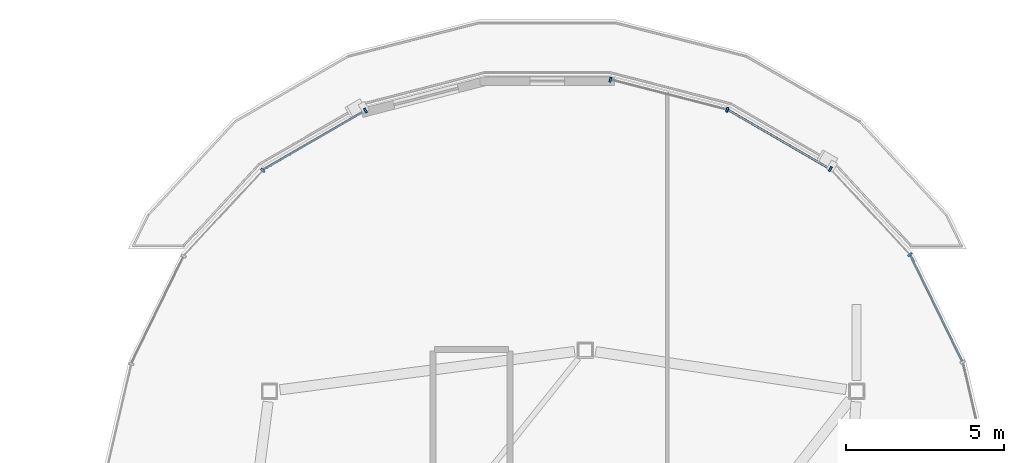
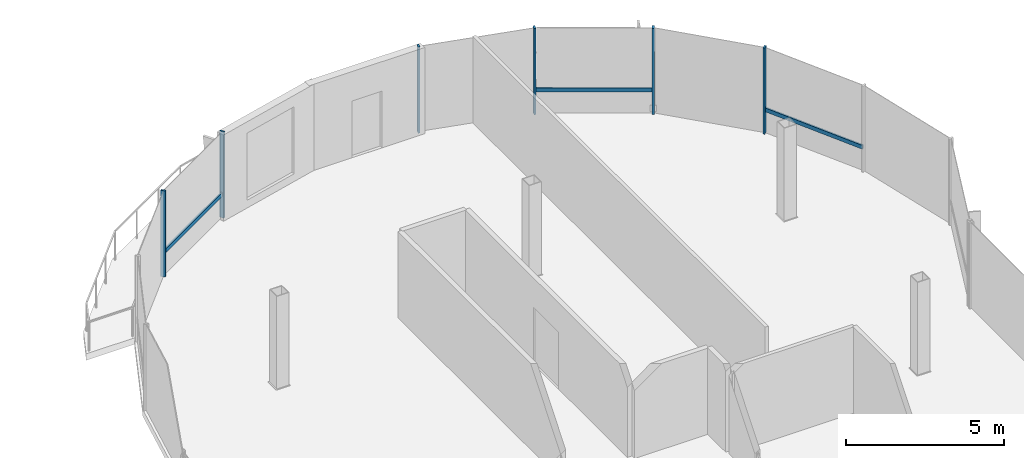
# One storey, part 9 of 20: 9 members, 2 elements without a shape of their own.
"""IFC4 building model written with IfcOpenShell, lengths in metres."""

from ifc_helpers import new_model, si_unit, direction, frame, origin, origin_2d, place, context, subcontext, project, spatial, rectangle, extrude, material, material_profile, profile_set, type_object, element, aggregate, save


model = new_model("IFC4")

# Units and contexts
model_context = context("Model", 3, precision=1e-05, world=origin(), true_north=direction((0.0, 1.0)))
body_context = subcontext(model_context, "Body", "Model", "MODEL_VIEW")
ifc_project = project(units=[si_unit("LENGTHUNIT", "METRE"), si_unit("AREAUNIT", "SQUARE_METRE"), si_unit("VOLUMEUNIT", "CUBIC_METRE"), si_unit("PLANEANGLEUNIT", "RADIAN"), si_unit("MASSUNIT", "GRAM", prefix="KILO"), si_unit("THERMODYNAMICTEMPERATUREUNIT", "KELVIN"), si_unit("POWERUNIT", "WATT")], contexts=[model_context])

# Site, building, storey
site_placement = place(None, origin())
site = spatial("IfcSite", under=ifc_project, at=site_placement, CompositionType="ELEMENT")
building_placement = place(site_placement, origin())
building = spatial("IfcBuilding", under=site, at=building_placement, Name="Cundina Bronze Exchange", CompositionType="ELEMENT")
storey_placement = place(building_placement, frame((0.0, 0.0, 282.800048828125)))
storey = spatial("IfcBuildingStorey", under=building, at=storey_placement, Name="L75", CompositionType="ELEMENT", Elevation=282.800048828125)

# Curtain wall, members
ifc_material = material(Name="Anodised Bronze Aluminium 6063-T6", Category="aluminium")
curtain_wall_type = type_object("IfcCurtainWallType", Name="CWS-CRN-TMD", PredefinedType="NOTDEFINED", material=ifc_material)
curtain_wall_1_placement = place(storey_placement, origin())
curtain_wall_1 = element("IfcCurtainWall", 1, at=curtain_wall_1_placement, inside=storey, type_object=curtain_wall_type, Name="L75 CW-07 Curtain Wall Run CWR-L75-E1", PredefinedType="NOTDEFINED")
ifc_material_profile_1 = material_profile(ifc_material, rectangle(XDim=0.06494140625, YDim=0.159912109375, at=origin_2d()), Name="AL65X160", Category="aluminium")
ifc_profile_set_1 = profile_set([ifc_material_profile_1], Name="Anodised Bronze Aluminium 6063-T6")
member_type_1 = type_object("IfcMemberType", Name="CWM-MUL-160", PredefinedType="MULLION", material=ifc_profile_set_1)
member_1_placement = place(storey_placement, frame((43.483642578125, 13.824462890625, 0.0), z_axis=(0.0, 0.0, 1.0), x_axis=(-0.679057031084, 0.734085518544, 0.0)))
member_1 = element("IfcMember", 2, at=member_1_placement, type_object=member_type_1, Name="CW-07 Mullion 4", PredefinedType="MULLION", context=body_context, shape_type="SweptSolid", body=[
    extrude(rectangle(XDim=0.06494140625, YDim=0.159912109375, at=origin_2d()), origin(), (0.0, 0.0, 1.0), 3.33984375),
])
member_2_placement = place(storey_placement, frame((40.966552734375, 16.5322265625, 0.0), z_axis=(0.0, 0.0, 1.0), x_axis=(-0.86532642813, 0.501208711795, 0.0)))
member_2 = element("IfcMember", 3, at=member_2_placement, type_object=member_type_1, Name="CW-07 Mullion 5", PredefinedType="MULLION", context=body_context, shape_type="SweptSolid", body=[
    extrude(rectangle(XDim=0.06494140625, YDim=0.159912109375, at=origin_2d()), origin(), (0.0, 0.0, 1.0), 3.33984375),
])
member_3_placement = place(storey_placement, frame((37.699951171875, 18.41455078125, 0.0), z_axis=(0.0, 0.0, 1.0), x_axis=(-0.96832220265, 0.249704048534, 0.0)))
member_3 = element("IfcMember", 4, at=member_3_placement, type_object=member_type_1, Name="CW-07 Mullion 6", PredefinedType="MULLION", context=body_context, shape_type="SweptSolid", body=[
    extrude(rectangle(XDim=0.06494140625, YDim=0.159912109375, at=origin_2d()), origin(), (0.0, 0.0, 1.0), 3.33984375),
])
member_4_placement = place(storey_placement, frame((34.0, 19.368896484375, 0.0), z_axis=(0.0, 0.0, 1.0), x_axis=(-0.96832220265, 0.249704048534, 0.0)))
member_4 = element("IfcMember", 5, at=member_4_placement, type_object=member_type_1, Name="CW-07 End Mullion", PredefinedType="MULLION", context=body_context, shape_type="SweptSolid", body=[
    extrude(rectangle(XDim=0.06494140625, YDim=0.159912109375, at=origin_2d()), origin(), (0.0, 0.0, 1.0), 3.33984375),
])

curtain_wall_2_placement = place(storey_placement, origin())
curtain_wall_2 = element("IfcCurtainWall", 6, at=curtain_wall_2_placement, inside=storey, type_object=curtain_wall_type, Name="L75 CW-07 Curtain Wall Run CWR-L75-E2", PredefinedType="NOTDEFINED")
member_5_placement = place(storey_placement, frame((26.24169921875, 18.390625, 0.0), z_axis=(0.0, 0.0, 1.0), x_axis=(-0.86532642813, -0.501208711795, 0.0)))
member_5 = element("IfcMember", 7, at=member_5_placement, type_object=member_type_1, Name="CW-07 Mullion 1", PredefinedType="MULLION", context=body_context, shape_type="SweptSolid", body=[
    extrude(rectangle(XDim=0.06494140625, YDim=0.159912109375, at=origin_2d()), origin(), (0.0, 0.0, 1.0), 3.33984375),
])
member_6_placement = place(storey_placement, frame((22.986572265625, 16.49462890625, 0.0), z_axis=(0.0, 0.0, 1.0), x_axis=(-0.679057031084, -0.734085518544, 0.0)))
member_6 = element("IfcMember", 8, at=member_6_placement, type_object=member_type_1, Name="CW-07 Mullion 2", PredefinedType="MULLION", context=body_context, shape_type="SweptSolid", body=[
    extrude(rectangle(XDim=0.06494140625, YDim=0.159912109375, at=origin_2d()), origin(), (0.0, 0.0, 1.0), 3.33984375),
])

# Member
ifc_material_profile_2 = material_profile(ifc_material, rectangle(XDim=0.06494140625, YDim=0.14990234375, at=origin_2d()), Name="AL65X150", Category="aluminium")
ifc_profile_set_2 = profile_set([ifc_material_profile_2], Name="Anodised Bronze Aluminium 6063-T6")
member_type_2 = type_object("IfcMemberType", Name="CWM-TRN-150", PredefinedType="USERDEFINED", material=ifc_profile_set_2)
member_7_placement = place(storey_placement, frame((45.140380859375, 10.45703125, 0.919921875), z_axis=(-0.439312304643, 0.898334402653, 0.0), x_axis=(-0.898334402653, -0.439312304643, 0.0)))
member_7 = element("IfcMember", 9, at=member_7_placement, type_object=member_type_2, Name="CW-07 Spandrel Transom 3", ObjectType="TRANSOM", PredefinedType="USERDEFINED", context=body_context, shape_type="SweptSolid", body=[
    extrude(rectangle(XDim=0.06494140625, YDim=0.14990234375, at=origin_2d()), origin(), (0.0, 0.0, 1.0), 3.728515625),
])

member_8_placement = place(storey_placement, frame((40.935546875, 16.55029296875, 0.919921875), z_axis=(-0.865310549987, 0.501236124078, 0.0), x_axis=(-0.501236124078, -0.865310549987, 0.0)))
member_8 = element("IfcMember", 10, at=member_8_placement, type_object=member_type_2, Name="CW-07 Spandrel Transom 5", ObjectType="TRANSOM", PredefinedType="USERDEFINED", context=body_context, shape_type="SweptSolid", body=[
    extrude(rectangle(XDim=0.06494140625, YDim=0.14990234375, at=origin_2d()), origin(), (0.0, 0.0, 1.0), 3.70751953125),
])

aggregate(curtain_wall_1, [member_7, member_1, member_2, member_8, member_3, member_4])

member_9_placement = place(storey_placement, frame((26.210693359375, 18.372802734375, 0.919921875), z_axis=(-0.865294005039, -0.501264685415, 0.0), x_axis=(0.501264685415, -0.865294005039, 0.0)))
member_9 = element("IfcMember", 11, at=member_9_placement, type_object=member_type_2, Name="CW-07 Spandrel Transom 1", ObjectType="TRANSOM", PredefinedType="USERDEFINED", context=body_context, shape_type="SweptSolid", body=[
    extrude(rectangle(XDim=0.06494140625, YDim=0.14990234375, at=origin_2d()), origin(), (0.0, 0.0, 1.0), 3.70751953125),
])

aggregate(curtain_wall_2, [member_5, member_9, member_6])

save(model, "model.ifc")
